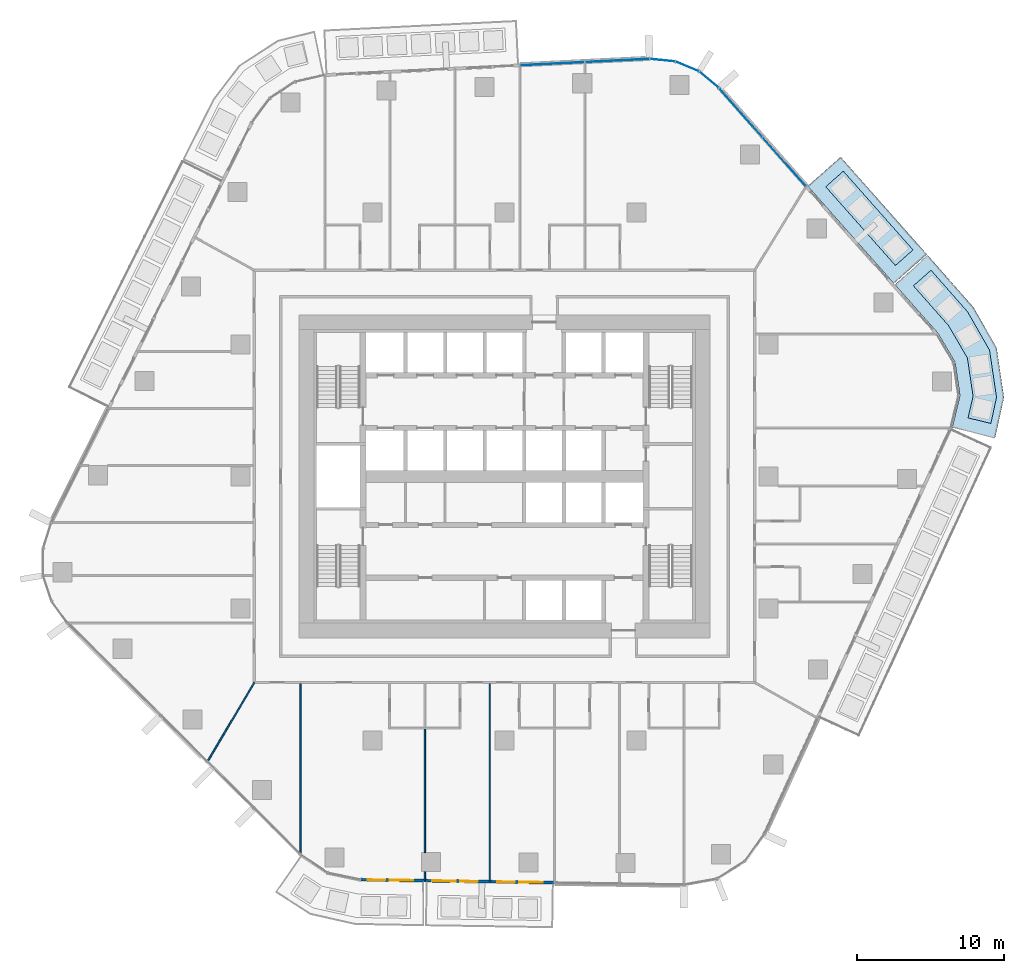
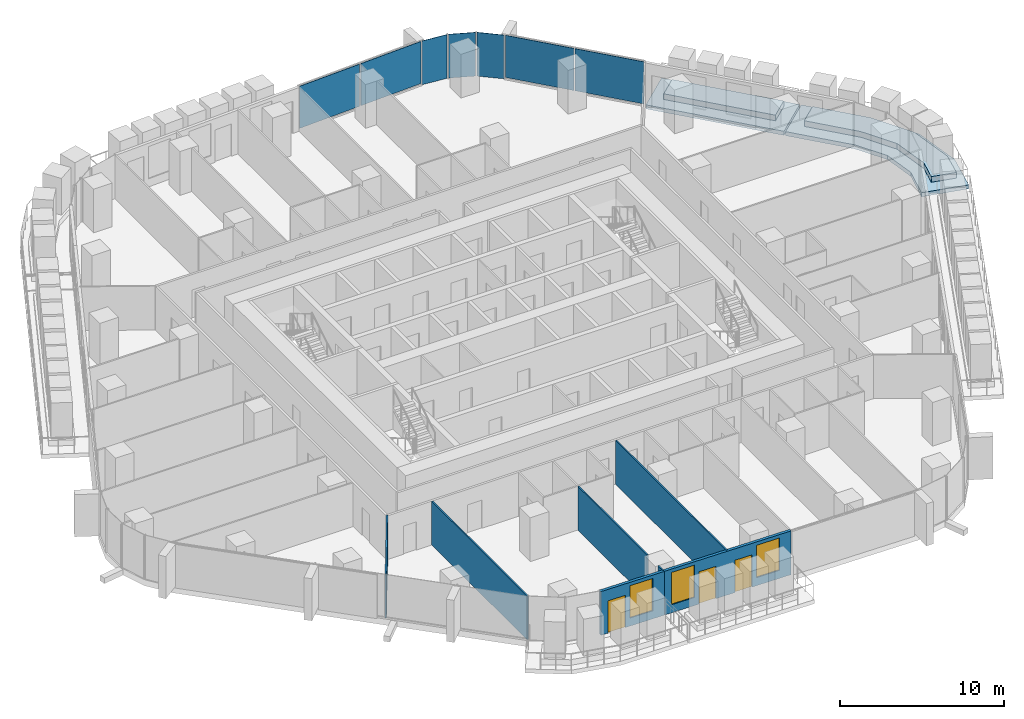
# One storey, part 11 of 24: 7 plates, 7 walls, 4 slabs, 3 doors, 3 windows, 6 openings, 3 elements without a shape of their own.
"""IFC4 building model written with IfcOpenShell, lengths in metres."""

from ifc_helpers import new_model, si_unit, direction, frame, frame_2d, origin, origin_2d, place, context, subcontext, project, spatial, polyline, rectangle, outline, extrude, material, layer, layer_set, type_object, element, fill, aggregate, save


model = new_model("IFC4")

# Units and contexts
model_context = context("Model", 3, precision=1e-05, world=origin(), true_north=direction((0.0, 1.0)))
body_context = subcontext(model_context, "Body", "Model", "MODEL_VIEW")
ifc_project = project(units=[si_unit("LENGTHUNIT", "METRE"), si_unit("AREAUNIT", "SQUARE_METRE"), si_unit("VOLUMEUNIT", "CUBIC_METRE"), si_unit("PLANEANGLEUNIT", "RADIAN"), si_unit("MASSUNIT", "GRAM", prefix="KILO")], contexts=[model_context])

# Site, building, storey
site_placement = place(None, origin())
site = spatial("IfcSite", under=ifc_project, at=site_placement, CompositionType="ELEMENT")
building_placement = place(site_placement, origin())
building = spatial("IfcBuilding", under=site, at=building_placement, Name="Dongbaek Canopy Tower", CompositionType="ELEMENT")
storey_placement = place(building_placement, frame((0.0, 0.0, 98.89990234375)))
storey = spatial("IfcBuildingStorey", under=building, at=storey_placement, Name="L20", CompositionType="ELEMENT", Elevation=98.89990234375)

# Slabs
ifc_material_1 = material(Name="Concrete C40/50", Category="concrete")
ifc_layer_1 = layer(ifc_material_1, 0.300048828125)
ifc_layer_set_1 = layer_set([ifc_layer_1], Name="Balcony slab 300")
slab_type_1 = type_object("IfcSlabType", Name="Balcony slab 300", PredefinedType="FLOOR", material=ifc_layer_set_1)
slab_1_placement = place(storey_placement, frame((0.0, 0.0, -0.2998046875)))
element("IfcSlab", 1, at=slab_1_placement, inside=storey, type_object=slab_type_1, Name="Balcony L20 1", PredefinedType="FLOOR", context=body_context, shape_type="SweptSolid", body=[
    extrude(outline(polyline([(26.536865234375, 13.150146484375), (20.661376953125, 19.787109375), (22.907470703125, 21.775634765625), (28.783203125, 15.138671875), (26.536865234375, 13.150146484375)])), origin(), (0.0, 0.0, 1.0), 0.2998046875),
])
slab_2_placement = place(storey_placement, frame((0.0, 0.0, -0.2998046875)))
element("IfcSlab", 2, at=slab_2_placement, inside=storey, type_object=slab_type_1, Name="Balcony L20 6", PredefinedType="FLOOR", context=body_context, shape_type="SweptSolid", body=[
    extrude(outline(polyline([(30.51318359375, 3.32568359375), (31.042236328125, 5.508056640625), (30.70556640625, 7.77880859375), (29.541015625, 9.7568359375), (26.603271484375, 13.075439453125), (28.849365234375, 15.06396484375), (31.9677734375, 11.5205078125), (33.5341796875, 8.7783203125), (34.039306640625, 5.3720703125), (33.428955078125, 2.618896484375), (30.51318359375, 3.32568359375)])), origin(), (0.0, 0.0, 1.0), 0.2998046875),
])

# Curtain wall, plates
ifc_material_2 = material(Name="Aluminium 6063-T6 pale anodised", Category="aluminium")
ifc_layer_2 = layer(ifc_material_2, 0.199951171875)
ifc_layer_set_2 = layer_set([ifc_layer_2], Name="CW-1 unitised tower curtain wall")
curtain_wall_type = type_object("IfcCurtainWallType", Name="CW-1 unitised tower curtain wall", PredefinedType="NOTDEFINED", material=ifc_layer_set_2)
curtain_wall_1_placement = place(storey_placement, origin())
curtain_wall_1 = element("IfcCurtainWall", 3, at=curtain_wall_1_placement, inside=storey, type_object=curtain_wall_type, Name="CW-1 curtain wall F0.1", PredefinedType="NOTDEFINED")
ifc_material_3 = material(Name="Clear laminated glass", Category="glass")
ifc_layer_3 = layer(ifc_material_3, 0.028076171875)
ifc_layer_set_3 = layer_set([ifc_layer_3], Name="CW-1 glazed panel 28")
plate_type = type_object("IfcPlateType", Name="CW-1 glazed panel 28", PredefinedType="CURTAIN_PANEL", material=ifc_layer_set_3)
plate_1_placement = place(storey_placement, frame((19.06787109375, 21.436279296875, 0.1201171875), z_axis=(0.0, 0.0, 1.0), x_axis=(-0.662853899547, 0.748748761505, 0.0)))
plate_1 = element("IfcPlate", 4, at=plate_1_placement, type_object=plate_type, Name="CW-1 panel F0.1.1.1", PredefinedType="CURTAIN_PANEL", context=body_context, shape_type="SweptSolid", body=[
    extrude(rectangle(XDim=4.39794921875, YDim=0.028076171875, at=origin_2d()), origin(), (0.0, 0.0, 1.0), 3.1298828125),
])
plate_2_placement = place(storey_placement, frame((16.099365234375, 24.789306640625, 0.1201171875), z_axis=(0.0, 0.0, 1.0), x_axis=(-0.662853899547, 0.748748761505, 0.0)))
plate_2 = element("IfcPlate", 5, at=plate_2_placement, type_object=plate_type, Name="CW-1 panel F0.1.2.1", PredefinedType="CURTAIN_PANEL", context=body_context, shape_type="SweptSolid", body=[
    extrude(rectangle(XDim=4.390625, YDim=0.028076171875, at=origin_2d()), origin(), (0.0, 0.0, 1.0), 3.1298828125),
])
aggregate(curtain_wall_1, [plate_1, plate_2])

curtain_wall_2_placement = place(storey_placement, origin())
curtain_wall_2 = element("IfcCurtainWall", 6, at=curtain_wall_2_placement, inside=storey, type_object=curtain_wall_type, Name="CW-1 curtain wall K1.1", PredefinedType="NOTDEFINED")
plate_3_placement = place(storey_placement, frame((13.940673828125, 27.030029296875, 0.0), z_axis=(0.0, 0.0, 1.0), x_axis=(-0.76684589124, 0.641831269952, 0.0)))
plate_3 = element("IfcPlate", 7, at=plate_3_placement, type_object=plate_type, Name="CW-1 panel K1.1.1.1", PredefinedType="CURTAIN_PANEL", context=body_context, shape_type="SweptSolid", body=[
    extrude(rectangle(XDim=1.67822265625, YDim=0.028076171875, at=origin_2d()), origin(), (0.0, 0.0, 1.0), 3.25),
])
plate_4_placement = place(storey_placement, frame((12.456298828125, 27.935791015625, 0.0), z_axis=(0.0, 0.0, 1.0), x_axis=(-0.9217189561, 0.38785843547, 0.0)))
plate_4 = element("IfcPlate", 8, at=plate_4_placement, type_object=plate_type, Name="CW-1 panel K1.1.2.1", PredefinedType="CURTAIN_PANEL", context=body_context, shape_type="SweptSolid", body=[
    extrude(rectangle(XDim=1.670654296875, YDim=0.028076171875, at=origin_2d()), origin(), (0.0, 0.0, 1.0), 3.25),
])
plate_5_placement = place(storey_placement, frame((10.77099609375, 28.36376953125, 0.0), z_axis=(0.0, 0.0, 1.0), x_axis=(-0.995031076678, 0.099564835385, 0.0)))
plate_5 = element("IfcPlate", 9, at=plate_5_placement, type_object=plate_type, Name="CW-1 panel K1.1.3.1", PredefinedType="CURTAIN_PANEL", context=body_context, shape_type="SweptSolid", body=[
    extrude(rectangle(XDim=1.67822265625, YDim=0.028076171875, at=origin_2d()), origin(), (0.0, 0.0, 1.0), 3.25),
])
aggregate(curtain_wall_2, [plate_3, plate_4, plate_5])

curtain_wall_3_placement = place(storey_placement, origin())
curtain_wall_3 = element("IfcCurtainWall", 10, at=curtain_wall_3_placement, inside=storey, type_object=curtain_wall_type, Name="CW-1 curtain wall F1.1", PredefinedType="NOTDEFINED")
plate_6_placement = place(storey_placement, frame((7.68310546875, 28.342041015625, 0.1201171875), z_axis=(0.0, 0.0, 1.0), x_axis=(-0.998772234165, -0.049538109177, 0.0)))
plate_6 = element("IfcPlate", 11, at=plate_6_placement, type_object=plate_type, Name="CW-1 panel F1.1.1.1", PredefinedType="CURTAIN_PANEL", context=body_context, shape_type="SweptSolid", body=[
    extrude(rectangle(XDim=4.34375, YDim=0.028076171875, at=origin_2d()), origin(), (0.0, 0.0, 1.0), 3.1298828125),
])
plate_7_placement = place(storey_placement, frame((3.257080078125, 28.122314453125, 0.1201171875), z_axis=(0.0, 0.0, 1.0), x_axis=(-0.998772234165, -0.049538109177, 0.0)))
plate_7 = element("IfcPlate", 12, at=plate_7_placement, type_object=plate_type, Name="CW-1 panel F1.1.2.1", PredefinedType="CURTAIN_PANEL", context=body_context, shape_type="SweptSolid", body=[
    extrude(rectangle(XDim=4.35107421875, YDim=0.028076171875, at=origin_2d()), origin(), (0.0, 0.0, 1.0), 3.1298828125),
])
aggregate(curtain_wall_3, [plate_6, plate_7])

# Slabs
ifc_material_4 = material(Name="Reinforced concrete C40/50 planter box with soil", Category="concrete")
ifc_layer_4 = layer(ifc_material_4, 0.419921875)
ifc_layer_set_4 = layer_set([ifc_layer_4], Name="Terrace planter box 1600 x 420")
slab_type_2 = type_object("IfcSlabType", Name="Terrace planter box 1600 x 420", PredefinedType="USERDEFINED", material=ifc_layer_set_4)
slab_3_placement = place(storey_placement, origin())
element("IfcSlab", 13, at=slab_3_placement, inside=storey, type_object=slab_type_2, Name="Balcony planter L20 1", ObjectType="PLANTER", PredefinedType="USERDEFINED", context=body_context, shape_type="SweptSolid", body=[
    extrude(outline(polyline([(26.639892578125, 14.376708984375), (21.89111328125, 19.74072265625), (23.089111328125, 20.80126953125), (27.837890625, 15.437255859375), (26.639892578125, 14.376708984375)])), origin(), (0.0, 0.0, 1.0), 0.420166015625),
])
slab_4_placement = place(storey_placement, origin())
element("IfcSlab", 14, at=slab_4_placement, inside=storey, type_object=slab_type_2, Name="Balcony planter L20 6", ObjectType="PLANTER", PredefinedType="USERDEFINED", context=body_context, shape_type="SweptSolid", body=[
    extrude(outline(polyline([(31.59033203125, 3.99072265625), (31.931396484375, 5.4677734375), (31.544677734375, 8.0751953125), (30.260986328125, 10.280029296875), (27.8662109375, 12.991455078125), (29.064208984375, 14.052001953125), (31.55517578125, 11.220703125), (33.053466796875, 8.6083984375), (33.52978515625, 5.395263671875), (33.145263671875, 3.61376953125), (31.59033203125, 3.99072265625)])), origin(), (0.0, 0.0, 1.0), 0.420166015625),
])

# Walls
ifc_material_5 = material(Name="Gypsum board partition, steel stud, 2 x 12.5 mm board", Category="steel")
ifc_layer_5 = layer(ifc_material_5, 0.10009765625)
ifc_layer_set_5 = layer_set([ifc_layer_5], Name="Partition 100 gypsum board")
wall_type_1 = type_object("IfcWallType", Name="Partition 100 gypsum board", PredefinedType="PARTITIONING", material=ifc_layer_set_5)
wall_1_placement = place(storey_placement, frame((-20.24609375, -19.436279296875, 0.0), z_axis=(0.0, 0.0, 1.0), x_axis=(0.510253226363, 0.86002421186, 0.0)))
element("IfcWall", 15, at=wall_1_placement, inside=storey, type_object=wall_type_1, Name="Partition", PredefinedType="PARTITIONING", context=body_context, shape_type="SweptSolid", body=[
    extrude(rectangle(XDim=6.26318359375, YDim=0.10009765625, at=frame_2d((3.131591796875, 0.0))), origin(), (0.0, 0.0, 1.0), 3.25),
])
wall_2_placement = place(storey_placement, frame((-1.007080078125, -27.596923828125, 0.0), z_axis=(0.0, 0.0, 1.0), x_axis=(0.0, 1.0, 0.0)))
element("IfcWall", 16, at=wall_2_placement, inside=storey, type_object=wall_type_1, Name="Partition", PredefinedType="PARTITIONING", context=body_context, shape_type="SweptSolid", body=[
    extrude(rectangle(XDim=13.471923828125, YDim=0.10009765625, at=frame_2d((6.73583984375, 0.0))), origin(), (0.0, 0.0, 1.0), 3.25),
])
wall_3_placement = place(storey_placement, frame((-5.424072265625, -27.52880859375, 0.0), z_axis=(0.0, 0.0, 1.0), x_axis=(0.0, 1.0, 0.0)))
element("IfcWall", 17, at=wall_3_placement, inside=storey, type_object=wall_type_1, Name="Partition", PredefinedType="PARTITIONING", context=body_context, shape_type="SweptSolid", body=[
    extrude(rectangle(XDim=0.5888671875, YDim=0.10009765625, at=frame_2d((0.29443359375, 0.0))), origin(), (0.0, 0.0, 1.0), 3.25),
])
wall_4_placement = place(storey_placement, frame((-5.424072265625, -25.639892578125, 0.0), z_axis=(0.0, 0.0, 1.0), x_axis=(0.0, 1.0, 0.0)))
element("IfcWall", 18, at=wall_4_placement, inside=storey, type_object=wall_type_1, Name="Partition", PredefinedType="PARTITIONING", context=body_context, shape_type="SweptSolid", body=[
    extrude(rectangle(XDim=8.43994140625, YDim=0.10009765625, at=frame_2d((4.219970703125, 0.0))), origin(), (0.0, 0.0, 1.0), 3.25),
])
wall_5_placement = place(storey_placement, frame((-13.916015625, -25.72998046875, 0.0), z_axis=(0.0, 0.0, 1.0), x_axis=(0.0, 1.0, 0.0)))
element("IfcWall", 19, at=wall_5_placement, inside=storey, type_object=wall_type_1, Name="Partition", PredefinedType="PARTITIONING", context=body_context, shape_type="SweptSolid", body=[
    extrude(rectangle(XDim=11.60498046875, YDim=0.10009765625, at=frame_2d((5.802490234375, 0.0))), origin(), (0.0, 0.0, 1.0), 3.25),
])

# Wall, openings, doors, windows
ifc_material_6 = material(Name="Aluminium window wall", Category="aluminium")
ifc_layer_6 = layer(ifc_material_6, 0.199951171875)
ifc_layer_set_6 = layer_set([ifc_layer_6], Name="Window wall 200")
wall_type_2 = type_object("IfcWallType", Name="Window wall 200", PredefinedType="SOLIDWALL", material=ifc_layer_set_6)
wall_6_placement = place(storey_placement, frame((-5.423583984375, -27.548828125, 0.0), z_axis=(0.0, 0.0, 1.0), x_axis=(0.999881101657, -0.015420199401, 0.0)))
wall_6 = element("IfcWall", 20, at=wall_6_placement, inside=storey, type_object=wall_type_2, Name="Window wall L20 4", PredefinedType="SOLIDWALL", context=body_context, shape_type="SweptSolid", body=[
    extrude(rectangle(XDim=8.83447265625, YDim=0.199951171875, at=frame_2d((4.417236328125, 0.0))), origin(), (0.0, 0.0, 1.0), 3.25),
])
opening_1_placement = place(wall_6_placement, frame((0.5, 0.0, 0.60009765625)))
opening_1 = element("IfcOpeningElement", 21, at=opening_1_placement, cuts=wall_6, Name="Opening W1", PredefinedType="OPENING", context=body_context, shape_type="SweptSolid", body=[
    extrude(rectangle(XDim=1.60009765625, YDim=2.39990234375, at=frame_2d((0.800048828125, 1.199951171875))), frame((0.0, 0.10986328125, 0.0), z_axis=(0.0, -1.0, 0.0), x_axis=(1.0, 0.0, 0.0)), (0.0, 0.0, 1.0), 0.219970703125),
])
opening_2_placement = place(wall_6_placement, frame((2.39990234375, 0.0, 0.0)))
opening_2 = element("IfcOpeningElement", 22, at=opening_2_placement, cuts=wall_6, Name="Opening L20-B12", PredefinedType="OPENING", context=body_context, shape_type="SweptSolid", body=[
    extrude(rectangle(XDim=1.199951171875, YDim=2.39990234375, at=frame_2d((0.60009765625, 1.199951171875))), frame((0.0, 0.10986328125, 0.0), z_axis=(0.0, -1.0, 0.0), x_axis=(1.0, 0.0, 0.0)), (0.0, 0.0, 1.0), 0.219970703125),
])
opening_3_placement = place(wall_6_placement, frame((6.417236328125, 0.0, 0.60009765625)))
opening_3 = element("IfcOpeningElement", 23, at=opening_3_placement, cuts=wall_6, Name="Opening W1", PredefinedType="OPENING", context=body_context, shape_type="SweptSolid", body=[
    extrude(rectangle(XDim=1.60009765625, YDim=2.39990234375, at=frame_2d((0.800048828125, 1.199951171875))), frame((0.0, 0.10986328125, 0.0), z_axis=(0.0, -1.0, 0.0), x_axis=(1.0, 0.0, 0.0)), (0.0, 0.0, 1.0), 0.219970703125),
])
opening_4_placement = place(wall_6_placement, frame((4.917236328125, 0.0, 0.0)))
opening_4 = element("IfcOpeningElement", 24, at=opening_4_placement, cuts=wall_6, Name="Opening L20-B13", PredefinedType="OPENING", context=body_context, shape_type="SweptSolid", body=[
    extrude(rectangle(XDim=1.199951171875, YDim=2.39990234375, at=frame_2d((0.60009765625, 1.199951171875))), frame((0.0, 0.10986328125, 0.0), z_axis=(0.0, -1.0, 0.0), x_axis=(1.0, 0.0, 0.0)), (0.0, 0.0, 1.0), 0.219970703125),
])
ifc_material_7 = material(Name="Clear glazing in aluminium frame", Category="aluminium")
door_type = type_object("IfcDoorType", Name="Balcony door BD1 1200 x 2400", OperationType="SLIDING_TO_LEFT", PredefinedType="DOOR", material=ifc_material_7)
door_1_placement = place(opening_2_placement, origin())
door_1 = element("IfcDoor", 25, at=door_1_placement, inside=storey, type_object=door_type, Name="Balcony door L20-B12", OperationType="SLIDING_TO_LEFT", OverallHeight=2.39990234375, OverallWidth=1.199951171875, PredefinedType="DOOR", context=body_context, shape_type="SweptSolid", body=[
    extrude(rectangle(XDim=1.199951171875, YDim=2.39990234375, at=frame_2d((0.60009765625, 1.199951171875))), frame((0.0, 0.02490234375, 0.0), z_axis=(0.0, -1.0, 0.0), x_axis=(1.0, 0.0, 0.0)), (0.0, 0.0, 1.0), 0.050048828125),
])
fill(opening_2, door_1)
door_2_placement = place(opening_4_placement, origin())
door_2 = element("IfcDoor", 26, at=door_2_placement, inside=storey, type_object=door_type, Name="Balcony door L20-B13", OperationType="SLIDING_TO_LEFT", OverallHeight=2.39990234375, OverallWidth=1.199951171875, PredefinedType="DOOR", context=body_context, shape_type="SweptSolid", body=[
    extrude(rectangle(XDim=1.199951171875, YDim=2.39990234375, at=frame_2d((0.60009765625, 1.199951171875))), frame((0.0, 0.02490234375, 0.0), z_axis=(0.0, -1.0, 0.0), x_axis=(1.0, 0.0, 0.0)), (0.0, 0.0, 1.0), 0.050048828125),
])
fill(opening_4, door_2)
ifc_material_8 = material(Name="Clear glazing in aluminium frame", Category="aluminium")
window_type = type_object("IfcWindowType", Name="Window W1 1600 x 2400", PartitioningType="SINGLE_PANEL", PredefinedType="WINDOW", material=ifc_material_8)
window_1_placement = place(opening_1_placement, origin())
window_1 = element("IfcWindow", 27, at=window_1_placement, inside=storey, type_object=window_type, Name="Window L20 4.1", OverallHeight=2.39990234375, OverallWidth=1.60009765625, PartitioningType="SINGLE_PANEL", PredefinedType="WINDOW", context=body_context, shape_type="SweptSolid", body=[
    extrude(rectangle(XDim=1.60009765625, YDim=2.39990234375, at=frame_2d((0.800048828125, 1.199951171875))), frame((0.0, 0.030029296875, 0.0), z_axis=(0.0, -1.0, 0.0), x_axis=(1.0, 0.0, 0.0)), (0.0, 0.0, 1.0), 0.06005859375),
])
fill(opening_1, window_1)
window_2_placement = place(opening_3_placement, origin())
window_2 = element("IfcWindow", 28, at=window_2_placement, inside=storey, type_object=window_type, Name="Window L20 4.2", OverallHeight=2.39990234375, OverallWidth=1.60009765625, PartitioningType="SINGLE_PANEL", PredefinedType="WINDOW", context=body_context, shape_type="SweptSolid", body=[
    extrude(rectangle(XDim=1.60009765625, YDim=2.39990234375, at=frame_2d((0.800048828125, 1.199951171875))), frame((0.0, 0.030029296875, 0.0), z_axis=(0.0, -1.0, 0.0), x_axis=(1.0, 0.0, 0.0)), (0.0, 0.0, 1.0), 0.06005859375),
])
fill(opening_3, window_2)

# Wall, openings, door, window
wall_7_placement = place(storey_placement, frame((-9.830810546875, -27.48095703125, 0.0), z_axis=(0.0, 0.0, 1.0), x_axis=(0.99988144177, -0.015398129892, 0.0)))
wall_7 = element("IfcWall", 29, at=wall_7_placement, inside=storey, type_object=wall_type_2, Name="Window wall L20 8", PredefinedType="SOLIDWALL", context=body_context, shape_type="SweptSolid", body=[
    extrude(rectangle(XDim=4.40771484375, YDim=0.199951171875, at=frame_2d((2.203857421875, 0.0))), origin(), (0.0, 0.0, 1.0), 3.25),
])
opening_5_placement = place(wall_7_placement, frame((2.0, 0.0, 0.60009765625)))
opening_5 = element("IfcOpeningElement", 30, at=opening_5_placement, cuts=wall_7, Name="Opening W1", PredefinedType="OPENING", context=body_context, shape_type="SweptSolid", body=[
    extrude(rectangle(XDim=1.60009765625, YDim=2.39990234375, at=frame_2d((0.800048828125, 1.199951171875))), frame((0.0, 0.10986328125, 0.0), z_axis=(0.0, -1.0, 0.0), x_axis=(1.0, 0.0, 0.0)), (0.0, 0.0, 1.0), 0.219970703125),
])
opening_6_placement = place(wall_7_placement, frame((0.5, 0.0, 0.0)))
opening_6 = element("IfcOpeningElement", 31, at=opening_6_placement, cuts=wall_7, Name="Opening L20-B14", PredefinedType="OPENING", context=body_context, shape_type="SweptSolid", body=[
    extrude(rectangle(XDim=1.199951171875, YDim=2.39990234375, at=frame_2d((0.60009765625, 1.199951171875))), frame((0.0, 0.10986328125, 0.0), z_axis=(0.0, -1.0, 0.0), x_axis=(1.0, 0.0, 0.0)), (0.0, 0.0, 1.0), 0.219970703125),
])
door_3_placement = place(opening_6_placement, origin())
door_3 = element("IfcDoor", 32, at=door_3_placement, inside=storey, type_object=door_type, Name="Balcony door L20-B14", OperationType="SLIDING_TO_LEFT", OverallHeight=2.39990234375, OverallWidth=1.199951171875, PredefinedType="DOOR", context=body_context, shape_type="SweptSolid", body=[
    extrude(rectangle(XDim=1.199951171875, YDim=2.39990234375, at=frame_2d((0.60009765625, 1.199951171875))), frame((0.0, 0.02490234375, 0.0), z_axis=(0.0, -1.0, 0.0), x_axis=(1.0, 0.0, 0.0)), (0.0, 0.0, 1.0), 0.050048828125),
])
fill(opening_6, door_3)
window_3_placement = place(opening_5_placement, origin())
window_3 = element("IfcWindow", 33, at=window_3_placement, inside=storey, type_object=window_type, Name="Window L20 8.1", OverallHeight=2.39990234375, OverallWidth=1.60009765625, PartitioningType="SINGLE_PANEL", PredefinedType="WINDOW", context=body_context, shape_type="SweptSolid", body=[
    extrude(rectangle(XDim=1.60009765625, YDim=2.39990234375, at=frame_2d((0.800048828125, 1.199951171875))), frame((0.0, 0.030029296875, 0.0), z_axis=(0.0, -1.0, 0.0), x_axis=(1.0, 0.0, 0.0)), (0.0, 0.0, 1.0), 0.06005859375),
])
fill(opening_5, window_3)

save(model, "model.ifc")
